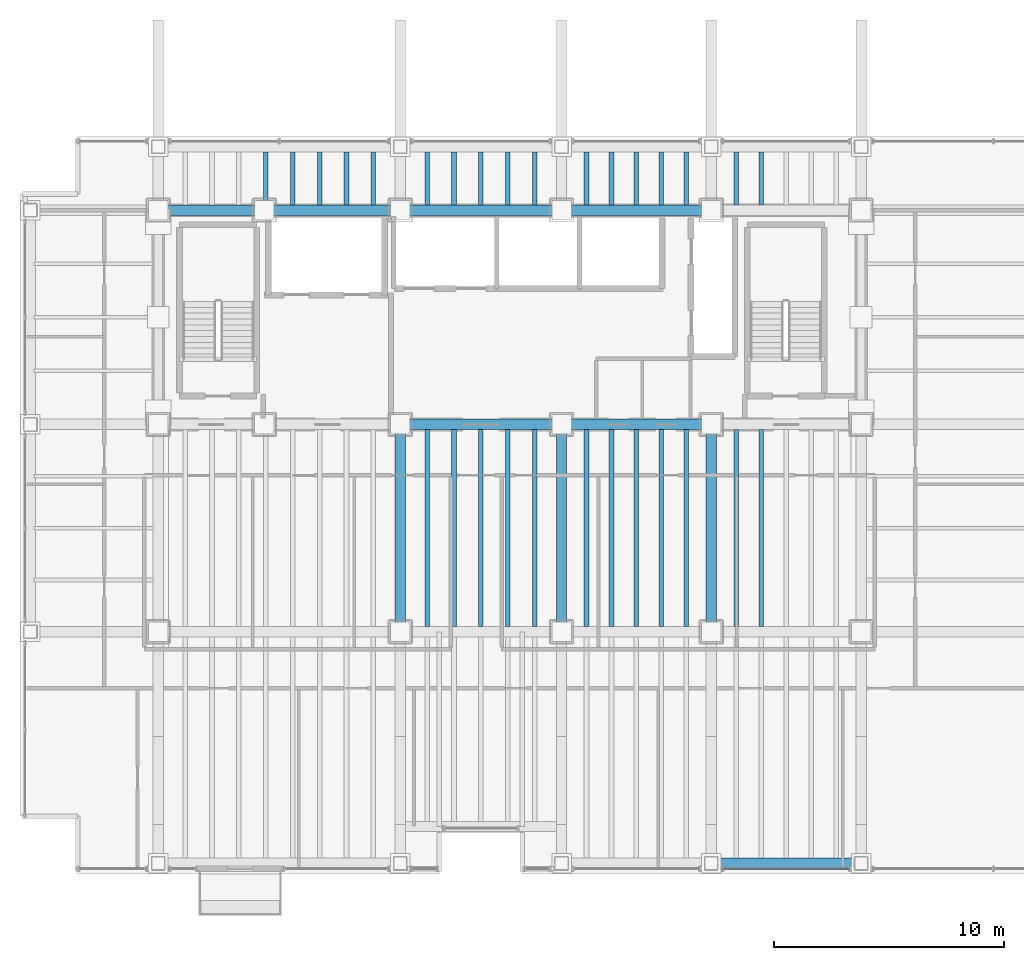
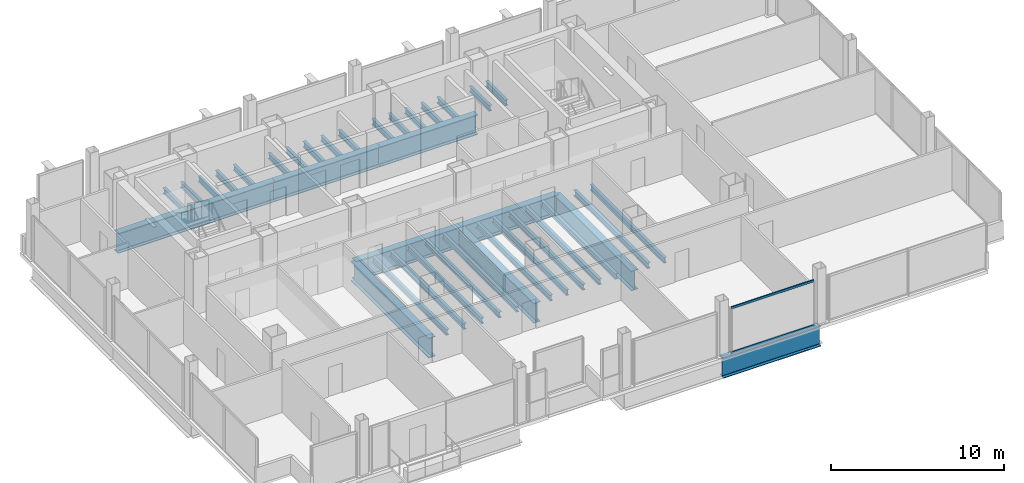
# One storey, part 8 of 21: 38 beams, 2 members, 1 element without a shape of its own.
"""IFC4 building model written with IfcOpenShell, lengths in metres."""

from ifc_helpers import new_model, si_unit, direction, frame, origin, origin_2d, place, context, subcontext, project, spatial, hollow_rectangle, i_section, extrude, material, material_profile, profile_set, type_object, element, aggregate, save


model = new_model("IFC4")

# Units and contexts
model_context = context("Model", 3, precision=1e-05, world=origin(), true_north=direction((0.0, 1.0)))
body_context = subcontext(model_context, "Body", "Model", "MODEL_VIEW")
ifc_project = project(units=[si_unit("LENGTHUNIT", "METRE"), si_unit("AREAUNIT", "SQUARE_METRE"), si_unit("VOLUMEUNIT", "CUBIC_METRE"), si_unit("PLANEANGLEUNIT", "RADIAN"), si_unit("MASSUNIT", "GRAM", prefix="KILO")], contexts=[model_context])

# Site, building, storey
site_placement = place(None, origin())
site = spatial("IfcSite", under=ifc_project, at=site_placement, CompositionType="ELEMENT")
building_placement = place(site_placement, origin())
building = spatial("IfcBuilding", under=site, at=building_placement, Name="Noeulbin Bourse Tower", CompositionType="ELEMENT")
storey_placement = place(building_placement, frame((0.0, 0.0, 81.10009765625)))
storey = spatial("IfcBuildingStorey", under=building, at=storey_placement, Name="L20", CompositionType="ELEMENT", Elevation=81.10009765625)

# Beams
ifc_material_1 = material(Name="Steel S355", Category="steel")
ifc_material_profile_1 = material_profile(ifc_material_1, i_section(OverallWidth=0.199951171875, OverallDepth=0.39990234375, WebThickness=0.008056640625, FlangeThickness=0.012939453125, FilletRadius=0.01611328125, at=origin_2d()), Name="H-400x200x8x13", Category="LoadBearing")
ifc_profile_set_1 = profile_set([ifc_material_profile_1], Name="Steel S355")
beam_type_1 = type_object("IfcBeamType", Name="BM-SEC-400", PredefinedType="BEAM", material=ifc_profile_set_1)
for number, where, z_axis, x_axis, name in (
    (1, (18.166748046875, 38.52490234375, -0.440185546875), (0.0, 1.0, 0.0), (-1.0, 0.0, 0.0), "Tower Composite Joist L20-12"),
    (2, (19.333251953125, 38.52490234375, -0.440185546875), (0.0, 1.0, 0.0), (-1.0, 0.0, 0.0), "Tower Composite Joist L20-15"),
    (3, (20.5, 38.52490234375, -0.440185546875), (0.0, 1.0, 0.0), (-1.0, 0.0, 0.0), "Tower Composite Joist L20-18"),
    (4, (21.666748046875, 38.52490234375, -0.440185546875), (0.0, 1.0, 0.0), (-1.0, 0.0, 0.0), "Tower Composite Joist L20-21"),
    (5, (22.833251953125, 38.52490234375, -0.440185546875), (0.0, 1.0, 0.0), (-1.0, 0.0, 0.0), "Tower Composite Joist L20-24"),
):
    element("IfcBeam", number, at=place(storey_placement, frame(where, z_axis=z_axis, x_axis=x_axis)), inside=storey, type_object=beam_type_1, Name=name, PredefinedType="BEAM", context=body_context, shape_type="SweptSolid", body=[
        extrude(i_section(OverallWidth=0.199951171875, OverallDepth=0.39990234375, WebThickness=0.008056640625, FlangeThickness=0.012939453125, FilletRadius=0.01611328125, at=origin_2d()), origin(), (0.0, 0.0, 1.0), 2.300048828125),
    ])
beam_1_placement = place(storey_placement, frame((25.166748046875, 20.22509765625, -0.440185546875), z_axis=(0.0, 1.0, 0.0), x_axis=(-1.0, 0.0, 0.0)))
element("IfcBeam", 6, at=beam_1_placement, inside=storey, type_object=beam_type_1, Name="Tower Composite Joist L20-26", PredefinedType="BEAM", context=body_context, shape_type="SweptSolid", body=[
    extrude(i_section(OverallWidth=0.199951171875, OverallDepth=0.39990234375, WebThickness=0.008056640625, FlangeThickness=0.012939453125, FilletRadius=0.01611328125, at=origin_2d()), origin(), (0.0, 0.0, 1.0), 8.5498046875),
])
beam_2_placement = place(storey_placement, frame((25.166748046875, 38.52490234375, -0.440185546875), z_axis=(0.0, 1.0, 0.0), x_axis=(-1.0, 0.0, 0.0)))
element("IfcBeam", 7, at=beam_2_placement, inside=storey, type_object=beam_type_1, Name="Tower Composite Joist L20-27", PredefinedType="BEAM", context=body_context, shape_type="SweptSolid", body=[
    extrude(i_section(OverallWidth=0.199951171875, OverallDepth=0.39990234375, WebThickness=0.008056640625, FlangeThickness=0.012939453125, FilletRadius=0.01611328125, at=origin_2d()), origin(), (0.0, 0.0, 1.0), 2.300048828125),
])
beam_3_placement = place(storey_placement, frame((26.333251953125, 20.22509765625, -0.440185546875), z_axis=(0.0, 1.0, 0.0), x_axis=(-1.0, 0.0, 0.0)))
element("IfcBeam", 8, at=beam_3_placement, inside=storey, type_object=beam_type_1, Name="Tower Composite Joist L20-29", PredefinedType="BEAM", context=body_context, shape_type="SweptSolid", body=[
    extrude(i_section(OverallWidth=0.199951171875, OverallDepth=0.39990234375, WebThickness=0.008056640625, FlangeThickness=0.012939453125, FilletRadius=0.01611328125, at=origin_2d()), origin(), (0.0, 0.0, 1.0), 8.5498046875),
])
beam_4_placement = place(storey_placement, frame((26.333251953125, 38.52490234375, -0.440185546875), z_axis=(0.0, 1.0, 0.0), x_axis=(-1.0, 0.0, 0.0)))
element("IfcBeam", 9, at=beam_4_placement, inside=storey, type_object=beam_type_1, Name="Tower Composite Joist L20-30", PredefinedType="BEAM", context=body_context, shape_type="SweptSolid", body=[
    extrude(i_section(OverallWidth=0.199951171875, OverallDepth=0.39990234375, WebThickness=0.008056640625, FlangeThickness=0.012939453125, FilletRadius=0.01611328125, at=origin_2d()), origin(), (0.0, 0.0, 1.0), 2.300048828125),
])
beam_5_placement = place(storey_placement, frame((27.5, 20.22509765625, -0.440185546875), z_axis=(0.0, 1.0, 0.0), x_axis=(-1.0, 0.0, 0.0)))
element("IfcBeam", 10, at=beam_5_placement, inside=storey, type_object=beam_type_1, Name="Tower Composite Joist L20-32", PredefinedType="BEAM", context=body_context, shape_type="SweptSolid", body=[
    extrude(i_section(OverallWidth=0.199951171875, OverallDepth=0.39990234375, WebThickness=0.008056640625, FlangeThickness=0.012939453125, FilletRadius=0.01611328125, at=origin_2d()), origin(), (0.0, 0.0, 1.0), 8.5498046875),
])
beam_6_placement = place(storey_placement, frame((27.5, 38.52490234375, -0.440185546875), z_axis=(0.0, 1.0, 0.0), x_axis=(-1.0, 0.0, 0.0)))
element("IfcBeam", 11, at=beam_6_placement, inside=storey, type_object=beam_type_1, Name="Tower Composite Joist L20-33", PredefinedType="BEAM", context=body_context, shape_type="SweptSolid", body=[
    extrude(i_section(OverallWidth=0.199951171875, OverallDepth=0.39990234375, WebThickness=0.008056640625, FlangeThickness=0.012939453125, FilletRadius=0.01611328125, at=origin_2d()), origin(), (0.0, 0.0, 1.0), 2.300048828125),
])
beam_7_placement = place(storey_placement, frame((28.666748046875, 20.22509765625, -0.440185546875), z_axis=(0.0, 1.0, 0.0), x_axis=(-1.0, 0.0, 0.0)))
element("IfcBeam", 12, at=beam_7_placement, inside=storey, type_object=beam_type_1, Name="Tower Composite Joist L20-35", PredefinedType="BEAM", context=body_context, shape_type="SweptSolid", body=[
    extrude(i_section(OverallWidth=0.199951171875, OverallDepth=0.39990234375, WebThickness=0.008056640625, FlangeThickness=0.012939453125, FilletRadius=0.01611328125, at=origin_2d()), origin(), (0.0, 0.0, 1.0), 8.5498046875),
])
beam_8_placement = place(storey_placement, frame((28.666748046875, 38.52490234375, -0.440185546875), z_axis=(0.0, 1.0, 0.0), x_axis=(-1.0, 0.0, 0.0)))
element("IfcBeam", 13, at=beam_8_placement, inside=storey, type_object=beam_type_1, Name="Tower Composite Joist L20-36", PredefinedType="BEAM", context=body_context, shape_type="SweptSolid", body=[
    extrude(i_section(OverallWidth=0.199951171875, OverallDepth=0.39990234375, WebThickness=0.008056640625, FlangeThickness=0.012939453125, FilletRadius=0.01611328125, at=origin_2d()), origin(), (0.0, 0.0, 1.0), 2.300048828125),
])
beam_9_placement = place(storey_placement, frame((29.833251953125, 20.22509765625, -0.440185546875), z_axis=(0.0, 1.0, 0.0), x_axis=(-1.0, 0.0, 0.0)))
element("IfcBeam", 14, at=beam_9_placement, inside=storey, type_object=beam_type_1, Name="Tower Composite Joist L20-38", PredefinedType="BEAM", context=body_context, shape_type="SweptSolid", body=[
    extrude(i_section(OverallWidth=0.199951171875, OverallDepth=0.39990234375, WebThickness=0.008056640625, FlangeThickness=0.012939453125, FilletRadius=0.01611328125, at=origin_2d()), origin(), (0.0, 0.0, 1.0), 8.5498046875),
])
beam_10_placement = place(storey_placement, frame((29.833251953125, 38.52490234375, -0.440185546875), z_axis=(0.0, 1.0, 0.0), x_axis=(-1.0, 0.0, 0.0)))
element("IfcBeam", 15, at=beam_10_placement, inside=storey, type_object=beam_type_1, Name="Tower Composite Joist L20-39", PredefinedType="BEAM", context=body_context, shape_type="SweptSolid", body=[
    extrude(i_section(OverallWidth=0.199951171875, OverallDepth=0.39990234375, WebThickness=0.008056640625, FlangeThickness=0.012939453125, FilletRadius=0.01611328125, at=origin_2d()), origin(), (0.0, 0.0, 1.0), 2.300048828125),
])
beam_11_placement = place(storey_placement, frame((32.083251953125, 20.22509765625, -0.440185546875), z_axis=(0.0, 1.0, 0.0), x_axis=(-1.0, 0.0, 0.0)))
element("IfcBeam", 16, at=beam_11_placement, inside=storey, type_object=beam_type_1, Name="Tower Composite Joist L20-41", PredefinedType="BEAM", context=body_context, shape_type="SweptSolid", body=[
    extrude(i_section(OverallWidth=0.199951171875, OverallDepth=0.39990234375, WebThickness=0.008056640625, FlangeThickness=0.012939453125, FilletRadius=0.01611328125, at=origin_2d()), origin(), (0.0, 0.0, 1.0), 8.5498046875),
])
beam_12_placement = place(storey_placement, frame((32.083251953125, 38.52490234375, -0.440185546875), z_axis=(0.0, 1.0, 0.0), x_axis=(-1.0, 0.0, 0.0)))
element("IfcBeam", 17, at=beam_12_placement, inside=storey, type_object=beam_type_1, Name="Tower Composite Joist L20-42", PredefinedType="BEAM", context=body_context, shape_type="SweptSolid", body=[
    extrude(i_section(OverallWidth=0.199951171875, OverallDepth=0.39990234375, WebThickness=0.008056640625, FlangeThickness=0.012939453125, FilletRadius=0.01611328125, at=origin_2d()), origin(), (0.0, 0.0, 1.0), 2.300048828125),
])
beam_13_placement = place(storey_placement, frame((33.166748046875, 20.22509765625, -0.440185546875), z_axis=(0.0, 1.0, 0.0), x_axis=(-1.0, 0.0, 0.0)))
element("IfcBeam", 18, at=beam_13_placement, inside=storey, type_object=beam_type_1, Name="Tower Composite Joist L20-44", PredefinedType="BEAM", context=body_context, shape_type="SweptSolid", body=[
    extrude(i_section(OverallWidth=0.199951171875, OverallDepth=0.39990234375, WebThickness=0.008056640625, FlangeThickness=0.012939453125, FilletRadius=0.01611328125, at=origin_2d()), origin(), (0.0, 0.0, 1.0), 8.5498046875),
])
beam_14_placement = place(storey_placement, frame((33.166748046875, 38.52490234375, -0.440185546875), z_axis=(0.0, 1.0, 0.0), x_axis=(-1.0, 0.0, 0.0)))
element("IfcBeam", 19, at=beam_14_placement, inside=storey, type_object=beam_type_1, Name="Tower Composite Joist L20-45", PredefinedType="BEAM", context=body_context, shape_type="SweptSolid", body=[
    extrude(i_section(OverallWidth=0.199951171875, OverallDepth=0.39990234375, WebThickness=0.008056640625, FlangeThickness=0.012939453125, FilletRadius=0.01611328125, at=origin_2d()), origin(), (0.0, 0.0, 1.0), 2.300048828125),
])
beam_15_placement = place(storey_placement, frame((34.25, 20.22509765625, -0.440185546875), z_axis=(0.0, 1.0, 0.0), x_axis=(-1.0, 0.0, 0.0)))
element("IfcBeam", 20, at=beam_15_placement, inside=storey, type_object=beam_type_1, Name="Tower Composite Joist L20-47", PredefinedType="BEAM", context=body_context, shape_type="SweptSolid", body=[
    extrude(i_section(OverallWidth=0.199951171875, OverallDepth=0.39990234375, WebThickness=0.008056640625, FlangeThickness=0.012939453125, FilletRadius=0.01611328125, at=origin_2d()), origin(), (0.0, 0.0, 1.0), 8.5498046875),
])
beam_16_placement = place(storey_placement, frame((34.25, 38.52490234375, -0.440185546875), z_axis=(0.0, 1.0, 0.0), x_axis=(-1.0, 0.0, 0.0)))
element("IfcBeam", 21, at=beam_16_placement, inside=storey, type_object=beam_type_1, Name="Tower Composite Joist L20-48", PredefinedType="BEAM", context=body_context, shape_type="SweptSolid", body=[
    extrude(i_section(OverallWidth=0.199951171875, OverallDepth=0.39990234375, WebThickness=0.008056640625, FlangeThickness=0.012939453125, FilletRadius=0.01611328125, at=origin_2d()), origin(), (0.0, 0.0, 1.0), 2.300048828125),
])
beam_17_placement = place(storey_placement, frame((35.333251953125, 20.22509765625, -0.440185546875), z_axis=(0.0, 1.0, 0.0), x_axis=(-1.0, 0.0, 0.0)))
element("IfcBeam", 22, at=beam_17_placement, inside=storey, type_object=beam_type_1, Name="Tower Composite Joist L20-50", PredefinedType="BEAM", context=body_context, shape_type="SweptSolid", body=[
    extrude(i_section(OverallWidth=0.199951171875, OverallDepth=0.39990234375, WebThickness=0.008056640625, FlangeThickness=0.012939453125, FilletRadius=0.01611328125, at=origin_2d()), origin(), (0.0, 0.0, 1.0), 8.5498046875),
])
beam_18_placement = place(storey_placement, frame((35.333251953125, 38.52490234375, -0.440185546875), z_axis=(0.0, 1.0, 0.0), x_axis=(-1.0, 0.0, 0.0)))
element("IfcBeam", 23, at=beam_18_placement, inside=storey, type_object=beam_type_1, Name="Tower Composite Joist L20-51", PredefinedType="BEAM", context=body_context, shape_type="SweptSolid", body=[
    extrude(i_section(OverallWidth=0.199951171875, OverallDepth=0.39990234375, WebThickness=0.008056640625, FlangeThickness=0.012939453125, FilletRadius=0.01611328125, at=origin_2d()), origin(), (0.0, 0.0, 1.0), 2.300048828125),
])
beam_19_placement = place(storey_placement, frame((36.416748046875, 20.22509765625, -0.440185546875), z_axis=(0.0, 1.0, 0.0), x_axis=(-1.0, 0.0, 0.0)))
element("IfcBeam", 24, at=beam_19_placement, inside=storey, type_object=beam_type_1, Name="Tower Composite Joist L20-53", PredefinedType="BEAM", context=body_context, shape_type="SweptSolid", body=[
    extrude(i_section(OverallWidth=0.199951171875, OverallDepth=0.39990234375, WebThickness=0.008056640625, FlangeThickness=0.012939453125, FilletRadius=0.01611328125, at=origin_2d()), origin(), (0.0, 0.0, 1.0), 8.5498046875),
])
beam_20_placement = place(storey_placement, frame((36.416748046875, 38.52490234375, -0.440185546875), z_axis=(0.0, 1.0, 0.0), x_axis=(-1.0, 0.0, 0.0)))
element("IfcBeam", 25, at=beam_20_placement, inside=storey, type_object=beam_type_1, Name="Tower Composite Joist L20-54", PredefinedType="BEAM", context=body_context, shape_type="SweptSolid", body=[
    extrude(i_section(OverallWidth=0.199951171875, OverallDepth=0.39990234375, WebThickness=0.008056640625, FlangeThickness=0.012939453125, FilletRadius=0.01611328125, at=origin_2d()), origin(), (0.0, 0.0, 1.0), 2.300048828125),
])
beam_21_placement = place(storey_placement, frame((38.583251953125, 20.22509765625, -0.440185546875), z_axis=(0.0, 1.0, 0.0), x_axis=(-1.0, 0.0, 0.0)))
element("IfcBeam", 26, at=beam_21_placement, inside=storey, type_object=beam_type_1, Name="Tower Composite Joist L20-56", PredefinedType="BEAM", context=body_context, shape_type="SweptSolid", body=[
    extrude(i_section(OverallWidth=0.199951171875, OverallDepth=0.39990234375, WebThickness=0.008056640625, FlangeThickness=0.012939453125, FilletRadius=0.01611328125, at=origin_2d()), origin(), (0.0, 0.0, 1.0), 8.5498046875),
])
beam_22_placement = place(storey_placement, frame((38.583251953125, 38.52490234375, -0.440185546875), z_axis=(0.0, 1.0, 0.0), x_axis=(-1.0, 0.0, 0.0)))
element("IfcBeam", 27, at=beam_22_placement, inside=storey, type_object=beam_type_1, Name="Tower Composite Joist L20-57", PredefinedType="BEAM", context=body_context, shape_type="SweptSolid", body=[
    extrude(i_section(OverallWidth=0.199951171875, OverallDepth=0.39990234375, WebThickness=0.008056640625, FlangeThickness=0.012939453125, FilletRadius=0.01611328125, at=origin_2d()), origin(), (0.0, 0.0, 1.0), 2.300048828125),
])
beam_23_placement = place(storey_placement, frame((39.666748046875, 20.22509765625, -0.440185546875), z_axis=(0.0, 1.0, 0.0), x_axis=(-1.0, 0.0, 0.0)))
element("IfcBeam", 28, at=beam_23_placement, inside=storey, type_object=beam_type_1, Name="Tower Composite Joist L20-59", PredefinedType="BEAM", context=body_context, shape_type="SweptSolid", body=[
    extrude(i_section(OverallWidth=0.199951171875, OverallDepth=0.39990234375, WebThickness=0.008056640625, FlangeThickness=0.012939453125, FilletRadius=0.01611328125, at=origin_2d()), origin(), (0.0, 0.0, 1.0), 8.5498046875),
])
beam_24_placement = place(storey_placement, frame((39.666748046875, 38.52490234375, -0.440185546875), z_axis=(0.0, 1.0, 0.0), x_axis=(-1.0, 0.0, 0.0)))
element("IfcBeam", 29, at=beam_24_placement, inside=storey, type_object=beam_type_1, Name="Tower Composite Joist L20-60", PredefinedType="BEAM", context=body_context, shape_type="SweptSolid", body=[
    extrude(i_section(OverallWidth=0.199951171875, OverallDepth=0.39990234375, WebThickness=0.008056640625, FlangeThickness=0.012939453125, FilletRadius=0.01611328125, at=origin_2d()), origin(), (0.0, 0.0, 1.0), 2.300048828125),
])
ifc_material_2 = material(Name="Steel S460", Category="steel")
ifc_material_profile_2 = material_profile(ifc_material_2, i_section(OverallWidth=0.449951171875, OverallDepth=1.39990234375, WebThickness=0.02392578125, FlangeThickness=0.0400390625, FilletRadius=0.02392578125, at=origin_2d()), Name="PG-1400x450x24x40", Category="LoadBearing")
ifc_profile_set_2 = profile_set([ifc_material_profile_2], Name="Steel S460")
beam_type_2 = type_object("IfcBeamType", Name="BM-TRF-1400", PredefinedType="USERDEFINED", material=ifc_profile_set_2)
beam_25_placement = place(storey_placement, frame((24.0, 29.0, -0.940185546875), z_axis=(1.0, 0.0, 0.0), x_axis=(0.0, 1.0, 0.0)))
element("IfcBeam", 30, at=beam_25_placement, inside=storey, type_object=beam_type_2, Name="Tower Primary Girder EW L20-2.3", ObjectType="GIRDER", PredefinedType="USERDEFINED", context=body_context, shape_type="SweptSolid", body=[
    extrude(i_section(OverallWidth=0.449951171875, OverallDepth=1.39990234375, WebThickness=0.02392578125, FlangeThickness=0.0400390625, FilletRadius=0.02392578125, at=origin_2d()), origin(), (0.0, 0.0, 1.0), 7.0),
])
beam_26_placement = place(storey_placement, frame((31.0, 29.0, -0.940185546875), z_axis=(1.0, 0.0, 0.0), x_axis=(0.0, 1.0, 0.0)))
element("IfcBeam", 31, at=beam_26_placement, inside=storey, type_object=beam_type_2, Name="Tower Primary Girder EW L20-2.4", ObjectType="GIRDER", PredefinedType="USERDEFINED", context=body_context, shape_type="SweptSolid", body=[
    extrude(i_section(OverallWidth=0.449951171875, OverallDepth=1.39990234375, WebThickness=0.02392578125, FlangeThickness=0.0400390625, FilletRadius=0.02392578125, at=origin_2d()), origin(), (0.0, 0.0, 1.0), 6.5),
])
beam_27_placement = place(storey_placement, frame((13.5, 38.300048828125, -0.940185546875), z_axis=(1.0, 0.0, 0.0), x_axis=(0.0, 1.0, 0.0)))
element("IfcBeam", 32, at=beam_27_placement, inside=storey, type_object=beam_type_2, Name="Tower Primary Girder EW L20-3.2", ObjectType="GIRDER", PredefinedType="USERDEFINED", context=body_context, shape_type="SweptSolid", body=[
    extrude(i_section(OverallWidth=0.449951171875, OverallDepth=1.39990234375, WebThickness=0.02392578125, FlangeThickness=0.0400390625, FilletRadius=0.02392578125, at=origin_2d()), origin(), (0.0, 0.0, 1.0), 10.5),
])
beam_28_placement = place(storey_placement, frame((24.0, 38.300048828125, -0.940185546875), z_axis=(1.0, 0.0, 0.0), x_axis=(0.0, 1.0, 0.0)))
element("IfcBeam", 33, at=beam_28_placement, inside=storey, type_object=beam_type_2, Name="Tower Primary Girder EW L20-3.3", ObjectType="GIRDER", PredefinedType="USERDEFINED", context=body_context, shape_type="SweptSolid", body=[
    extrude(i_section(OverallWidth=0.449951171875, OverallDepth=1.39990234375, WebThickness=0.02392578125, FlangeThickness=0.0400390625, FilletRadius=0.02392578125, at=origin_2d()), origin(), (0.0, 0.0, 1.0), 7.0),
])
beam_29_placement = place(storey_placement, frame((31.0, 38.300048828125, -0.940185546875), z_axis=(1.0, 0.0, 0.0), x_axis=(0.0, 1.0, 0.0)))
element("IfcBeam", 34, at=beam_29_placement, inside=storey, type_object=beam_type_2, Name="Tower Primary Girder EW L20-3.4", ObjectType="GIRDER", PredefinedType="USERDEFINED", context=body_context, shape_type="SweptSolid", body=[
    extrude(i_section(OverallWidth=0.449951171875, OverallDepth=1.39990234375, WebThickness=0.02392578125, FlangeThickness=0.0400390625, FilletRadius=0.02392578125, at=origin_2d()), origin(), (0.0, 0.0, 1.0), 6.5),
])
for number, where, z_axis, x_axis, name in (
    (35, (24.0, 20.0, -0.940185546875), (0.0, 1.0, 0.0), (-1.0, 0.0, 0.0), "Tower Primary Girder NS L20-2.4"),
    (36, (31.0, 20.0, -0.940185546875), (0.0, 1.0, 0.0), (-1.0, 0.0, 0.0), "Tower Primary Girder NS L20-3.4"),
    (37, (37.5, 20.0, -0.940185546875), (0.0, 1.0, 0.0), (-1.0, 0.0, 0.0), "Tower Primary Girder NS L20-4.4"),
):
    element("IfcBeam", number, at=place(storey_placement, frame(where, z_axis=z_axis, x_axis=x_axis)), inside=storey, type_object=beam_type_2, Name=name, ObjectType="GIRDER", PredefinedType="USERDEFINED", context=body_context, shape_type="SweptSolid", body=[
        extrude(i_section(OverallWidth=0.449951171875, OverallDepth=1.39990234375, WebThickness=0.02392578125, FlangeThickness=0.0400390625, FilletRadius=0.02392578125, at=origin_2d()), origin(), (0.0, 0.0, 1.0), 9.0),
    ])
beam_30_placement = place(storey_placement, frame((37.5, 9.949951171875, -0.940185546875), z_axis=(1.0, 0.0, 0.0), x_axis=(0.0, 1.0, 0.0)))
element("IfcBeam", 38, at=beam_30_placement, inside=storey, type_object=beam_type_2, Name="South Spandrel L20-4", ObjectType="GIRDER", PredefinedType="USERDEFINED", context=body_context, shape_type="SweptSolid", body=[
    extrude(i_section(OverallWidth=0.449951171875, OverallDepth=1.39990234375, WebThickness=0.02392578125, FlangeThickness=0.0400390625, FilletRadius=0.02392578125, at=origin_2d()), origin(), (0.0, 0.0, 1.0), 6.5),
])

# Curtain wall, members
ifc_material_3 = material(Name="Dark Solar-Control Double Glazing", Category="glass")
curtain_wall_type = type_object("IfcCurtainWallType", Name="CW-SYS-2", PredefinedType="NOTDEFINED", material=ifc_material_3)
curtain_wall_placement = place(storey_placement, origin())
curtain_wall = element("IfcCurtainWall", 39, at=curtain_wall_placement, inside=storey, type_object=curtain_wall_type, Name="Unitised Curtain Wall CW-L20-S3-S3", PredefinedType="NOTDEFINED")
ifc_material_4 = material(Name="Anodised Aluminium 6063-T6", Category="aluminium")
ifc_material_profile_3 = material_profile(ifc_material_4, hollow_rectangle(XDim=0.074951171875, YDim=0.159912109375, WallThickness=0.0048828125, InnerFilletRadius=0.00244140625, OuterFilletRadius=0.0048828125, at=origin_2d()), Name="ALU-TRAN-75x160x5", Category="LoadBearing")
ifc_profile_set_3 = profile_set([ifc_material_profile_3], Name="Anodised Aluminium 6063-T6")
member_type = type_object("IfcMemberType", Name="CW-SYS-2-TRN", PredefinedType="USERDEFINED", material=ifc_profile_set_3)
member_1_placement = place(storey_placement, frame((38.010009765625, 9.719970703125, 0.010009765625), z_axis=(1.0, 0.0, 0.0), x_axis=(0.0, 1.0, 0.0)))
member_1 = element("IfcMember", 40, at=member_1_placement, type_object=member_type, Name="Curtain Wall Transom CW-L20-S3-S3-T00", ObjectType="TRANSOM", PredefinedType="USERDEFINED", context=body_context, shape_type="SweptSolid", body=[
    extrude(hollow_rectangle(XDim=0.074951171875, YDim=0.159912109375, WallThickness=0.0048828125, InnerFilletRadius=0.00244140625, OuterFilletRadius=0.0048828125, at=origin_2d()), origin(), (0.0, 0.0, 1.0), 5.47998046875),
])
member_2_placement = place(storey_placement, frame((38.010009765625, 9.719970703125, 3.169921875), z_axis=(1.0, 0.0, 0.0), x_axis=(0.0, 1.0, 0.0)))
member_2 = element("IfcMember", 41, at=member_2_placement, type_object=member_type, Name="Curtain Wall Transom CW-L20-S3-S3-T01", ObjectType="TRANSOM", PredefinedType="USERDEFINED", context=body_context, shape_type="SweptSolid", body=[
    extrude(hollow_rectangle(XDim=0.074951171875, YDim=0.159912109375, WallThickness=0.0048828125, InnerFilletRadius=0.00244140625, OuterFilletRadius=0.0048828125, at=origin_2d()), origin(), (0.0, 0.0, 1.0), 5.47998046875),
])
aggregate(curtain_wall, [member_1, member_2])

save(model, "model.ifc")
